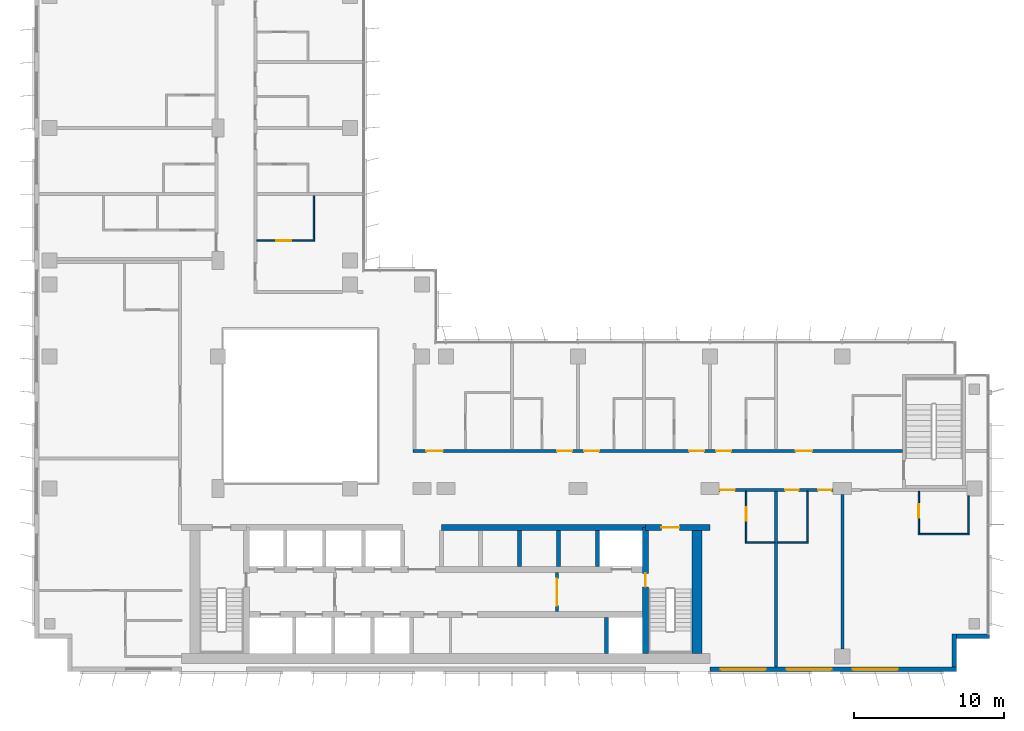
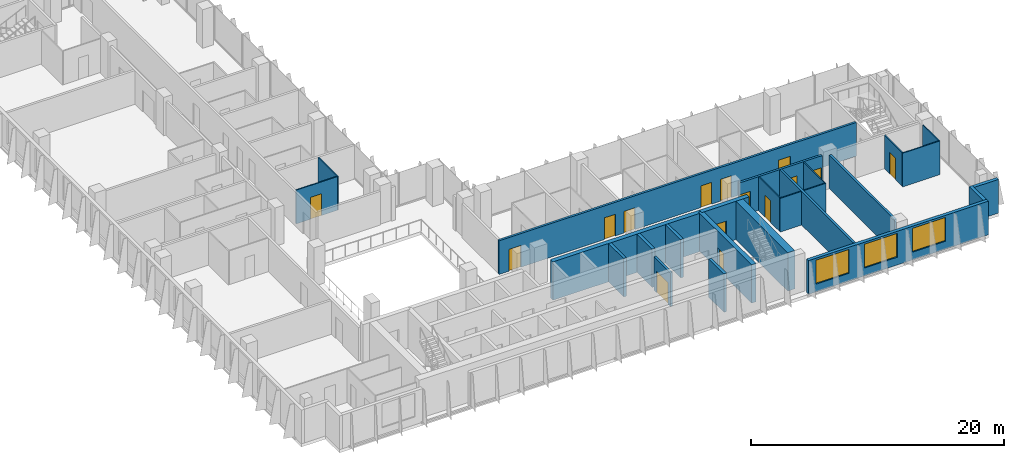
# One storey, part 14 of 21: 25 walls, 15 doors, 3 windows, 18 openings.
"""IFC4 building model written with IfcOpenShell, lengths in metres."""

from ifc_helpers import new_model, si_unit, direction, frame, frame_2d, origin, place, context, subcontext, project, spatial, rectangle, extrude, material, layer, layer_set, type_object, element, fill, save


model = new_model("IFC4")

# Units and contexts
model_context = context("Model", 3, precision=1e-05, world=origin(), true_north=direction((0.0, 1.0)))
body_context = subcontext(model_context, "Body", "Model", "MODEL_VIEW")
ifc_project = project(units=[si_unit("LENGTHUNIT", "METRE"), si_unit("AREAUNIT", "SQUARE_METRE"), si_unit("VOLUMEUNIT", "CUBIC_METRE"), si_unit("PLANEANGLEUNIT", "RADIAN"), si_unit("MASSUNIT", "GRAM", prefix="KILO")], contexts=[model_context])

# Site, building, storey
site_placement = place(None, origin())
site = spatial("IfcSite", under=ifc_project, at=site_placement, CompositionType="ELEMENT")
building_placement = place(site_placement, origin())
building = spatial("IfcBuilding", under=site, at=building_placement, Name="Kemantara Hotel Tower", CompositionType="ELEMENT")
storey_placement = place(building_placement, frame((0.0, 0.0, 198.800048828125)))
storey = spatial("IfcBuildingStorey", under=building, at=storey_placement, Name="L49", CompositionType="ELEMENT", Elevation=198.800048828125)

# Wall, openings, windows
ifc_material_1 = material(Name="Bronze anodised aluminium cladding on insulated steel stud wall", Category="steel")
ifc_layer_1 = layer(ifc_material_1, 0.300048828125)
ifc_layer_set_1 = layer_set([ifc_layer_1], Name="Bronze anodised aluminium cladding on insulated steel stud wall")
wall_type_1 = type_object("IfcWallType", Name="BRONZE METAL-CLAD EXTERNAL WALL 300", PredefinedType="STANDARD", material=ifc_layer_set_1)
wall_1_placement = place(storey_placement, frame((45.0, 0.14990234375, 0.0), z_axis=(0.0, 0.0, 1.0), x_axis=(1.0, 0.0, 0.0)))
wall_1 = element("IfcWall", 1, at=wall_1_placement, inside=storey, type_object=wall_type_1, Name="EXTERNAL WALL L49 T3-R08-3", PredefinedType="STANDARD", context=body_context, shape_type="SweptSolid", body=[
    extrude(rectangle(XDim=16.39990234375, YDim=0.300048828125, at=frame_2d((8.199951171875, 0.0))), origin(), (0.0, 0.0, 1.0), 3.25),
])
opening_1_placement = place(wall_1_placement, frame((0.699951171875, 0.0, 0.75)))
opening_1 = element("IfcOpeningElement", 2, at=opening_1_placement, cuts=wall_1, Name="Opening W1", PredefinedType="OPENING", context=body_context, shape_type="SweptSolid", body=[
    extrude(rectangle(XDim=3.0, YDim=2.300048828125, at=frame_2d((1.5, 1.14990234375))), frame((0.0, 0.159912109375, 0.0), z_axis=(0.0, -1.0, 0.0), x_axis=(1.0, 0.0, 0.0)), (0.0, 0.0, 1.0), 0.320068359375),
])
opening_2_placement = place(wall_1_placement, frame((5.10009765625, 0.0, 0.75)))
opening_2 = element("IfcOpeningElement", 3, at=opening_2_placement, cuts=wall_1, Name="Opening W1", PredefinedType="OPENING", context=body_context, shape_type="SweptSolid", body=[
    extrude(rectangle(XDim=3.0, YDim=2.300048828125, at=frame_2d((1.5, 1.14990234375))), frame((0.0, 0.159912109375, 0.0), z_axis=(0.0, -1.0, 0.0), x_axis=(1.0, 0.0, 0.0)), (0.0, 0.0, 1.0), 0.320068359375),
])
opening_3_placement = place(wall_1_placement, frame((9.5, 0.0, 0.75)))
opening_3 = element("IfcOpeningElement", 4, at=opening_3_placement, cuts=wall_1, Name="Opening W1", PredefinedType="OPENING", context=body_context, shape_type="SweptSolid", body=[
    extrude(rectangle(XDim=3.0, YDim=2.300048828125, at=frame_2d((1.5, 1.14990234375))), frame((0.0, 0.159912109375, 0.0), z_axis=(0.0, -1.0, 0.0), x_axis=(1.0, 0.0, 0.0)), (0.0, 0.0, 1.0), 0.320068359375),
])
ifc_material_2 = material(Name="Low-E tinted double insulated glass in bronze anodised aluminium frame", Category="aluminium")
window_type = type_object("IfcWindowType", Name="CHICAGO WINDOW, TRIPLE PANEL 3000x2300", PartitioningType="TRIPLE_PANEL_VERTICAL", PredefinedType="WINDOW", material=ifc_material_2)
window_1_placement = place(opening_1_placement, origin())
window_1 = element("IfcWindow", 5, at=window_1_placement, inside=storey, type_object=window_type, Name="CHICAGO WINDOW L49 T3-R08-450", OverallHeight=2.300048828125, OverallWidth=3.0, PartitioningType="SINGLE_PANEL", PredefinedType="WINDOW", context=body_context, shape_type="SweptSolid", body=[
    extrude(rectangle(XDim=3.0, YDim=2.300048828125, at=frame_2d((1.5, 1.14990234375))), frame((0.0, 0.030029296875, 0.0), z_axis=(0.0, -1.0, 0.0), x_axis=(1.0, 0.0, 0.0)), (0.0, 0.0, 1.0), 0.06005859375),
])
fill(opening_1, window_1)
window_2_placement = place(opening_2_placement, origin())
window_2 = element("IfcWindow", 6, at=window_2_placement, inside=storey, type_object=window_type, Name="CHICAGO WINDOW L49 T3-R08-494", OverallHeight=2.300048828125, OverallWidth=3.0, PartitioningType="SINGLE_PANEL", PredefinedType="WINDOW", context=body_context, shape_type="SweptSolid", body=[
    extrude(rectangle(XDim=3.0, YDim=2.300048828125, at=frame_2d((1.5, 1.14990234375))), frame((0.0, 0.030029296875, 0.0), z_axis=(0.0, -1.0, 0.0), x_axis=(1.0, 0.0, 0.0)), (0.0, 0.0, 1.0), 0.06005859375),
])
fill(opening_2, window_2)
window_3_placement = place(opening_3_placement, origin())
window_3 = element("IfcWindow", 7, at=window_3_placement, inside=storey, type_object=window_type, Name="CHICAGO WINDOW L49 T3-R08-538", OverallHeight=2.300048828125, OverallWidth=3.0, PartitioningType="SINGLE_PANEL", PredefinedType="WINDOW", context=body_context, shape_type="SweptSolid", body=[
    extrude(rectangle(XDim=3.0, YDim=2.300048828125, at=frame_2d((1.5, 1.14990234375))), frame((0.0, 0.030029296875, 0.0), z_axis=(0.0, -1.0, 0.0), x_axis=(1.0, 0.0, 0.0)), (0.0, 0.0, 1.0), 0.06005859375),
])
fill(opening_3, window_3)

# Walls
wall_2_placement = place(storey_placement, frame((61.25, 0.300048828125, 0.0), z_axis=(0.0, 0.0, 1.0), x_axis=(0.0, 1.0, 0.0)))
element("IfcWall", 8, at=wall_2_placement, inside=storey, type_object=wall_type_1, Name="EXTERNAL WALL L49 T3-R09", PredefinedType="STANDARD", context=body_context, shape_type="SweptSolid", body=[
    extrude(rectangle(XDim=2.199951171875, YDim=0.300048828125, at=frame_2d((1.10009765625, 0.0))), origin(), (0.0, 0.0, 1.0), 3.25),
])
wall_3_placement = place(storey_placement, frame((61.39990234375, 2.35009765625, 0.0), z_axis=(0.0, 0.0, 1.0), x_axis=(1.0, 0.0, 0.0)))
element("IfcWall", 9, at=wall_3_placement, inside=storey, type_object=wall_type_1, Name="EXTERNAL WALL L49 T3-R10", PredefinedType="STANDARD", context=body_context, shape_type="SweptSolid", body=[
    extrude(rectangle(XDim=2.2001953125, YDim=0.300048828125, at=frame_2d((1.10009765625, 0.0))), origin(), (0.0, 0.0, 1.0), 3.25),
])
ifc_material_3 = material(Name="Concrete fc 60 MPa", Category="concrete")
ifc_layer_2 = layer(ifc_material_3, 0.25)
ifc_layer_set_2 = layer_set([ifc_layer_2], Name="Concrete fc 60 MPa")
wall_type_2 = type_object("IfcWallType", Name="CORE WALL 250 FC60", PredefinedType="SHEAR", material=ifc_layer_set_2)
wall_4_placement = place(storey_placement, frame((38.10009765625, 1.199951171875, 0.0), z_axis=(0.0, 0.0, 1.0), x_axis=(0.0, 1.0, 0.0)))
element("IfcWall", 10, at=wall_4_placement, inside=storey, type_object=wall_type_2, Name="CORE WALL CW-DS38.1", PredefinedType="SHEAR", context=body_context, shape_type="SweptSolid", body=[
    extrude(rectangle(XDim=2.400146484375, YDim=0.25, at=frame_2d((1.2001953125, 0.0))), origin(), (0.0, 0.0, 1.0), 3.699951171875),
])
for number, where, z_axis, x_axis, name in (
    (11, (32.300048828125, 7.0, 0.0), (0.0, 0.0, 1.0), (0.0, 1.0, 0.0), "CORE WALL CW-DN32.3"),
    (12, (34.89990234375, 7.0, 0.0), (0.0, 0.0, 1.0), (0.0, 1.0, 0.0), "CORE WALL CW-DN34.9"),
    (13, (37.5, 7.0, 0.0), (0.0, 0.0, 1.0), (0.0, 1.0, 0.0), "CORE WALL CW-DN37.5"),
):
    element("IfcWall", number, at=place(storey_placement, frame(where, z_axis=z_axis, x_axis=x_axis)), inside=storey, type_object=wall_type_2, Name=name, PredefinedType="SHEAR", context=body_context, shape_type="SweptSolid", body=[
        extrude(rectangle(XDim=2.39990234375, YDim=0.25, at=frame_2d((1.199951171875, 0.0))), origin(), (0.0, 0.0, 1.0), 3.699951171875),
    ])

# Wall, opening, door
ifc_layer_3 = layer(ifc_material_3, 0.39990234375)
ifc_layer_set_3 = layer_set([ifc_layer_3], Name="Concrete fc 60 MPa")
wall_type_3 = type_object("IfcWallType", Name="CORE WALL 400 FC60", PredefinedType="SHEAR", material=ifc_layer_set_3)
wall_5_placement = place(storey_placement, frame((40.699951171875, 9.60009765625, 0.0), z_axis=(0.0, 0.0, 1.0), x_axis=(1.0, 0.0, 0.0)))
wall_5 = element("IfcWall", 14, at=wall_5_placement, inside=storey, type_object=wall_type_3, Name="CORE WALL CW-N2", PredefinedType="SHEAR", context=body_context, shape_type="SweptSolid", body=[
    extrude(rectangle(XDim=4.300048828125, YDim=0.39990234375, at=frame_2d((2.14990234375, 0.0))), origin(), (0.0, 0.0, 1.0), 3.699951171875),
])
opening_4_placement = place(wall_5_placement, frame((1.050048828125, 0.0, 0.0)))
opening_4 = element("IfcOpeningElement", 15, at=opening_4_placement, cuts=wall_5, Name="Opening C30-ST2-C", PredefinedType="OPENING", context=body_context, shape_type="SweptSolid", body=[
    extrude(rectangle(XDim=1.199951171875, YDim=2.10009765625, at=frame_2d((0.60009765625, 1.050048828125))), frame((0.0, 0.2099609375, 0.0), z_axis=(0.0, -1.0, 0.0), x_axis=(1.0, 0.0, 0.0)), (0.0, 0.0, 1.0), 0.419921875),
])
ifc_material_4 = material(Name="Steel fire door", Category="steel")
door_type_1 = type_object("IfcDoorType", Name="Fire door FD90 1200 x 2100", OperationType="NOTDEFINED", PredefinedType="DOOR", material=ifc_material_4)
door_1_placement = place(opening_4_placement, frame((1.199951171875, 0.0, 0.0), z_axis=(0.0, 0.0, 1.0), x_axis=(-1.0, 0.0, 0.0)))
door_1 = element("IfcDoor", 16, at=door_1_placement, inside=storey, type_object=door_type_1, Name="Stair ST2 door to corridor", OperationType="SINGLE_SWING_RIGHT", OverallHeight=2.10009765625, OverallWidth=1.199951171875, PredefinedType="DOOR", context=body_context, shape_type="SweptSolid", body=[
    extrude(rectangle(XDim=1.199951171875, YDim=2.10009765625, at=frame_2d((0.60009765625, 1.050048828125))), frame((0.0, 0.02490234375, 0.0), z_axis=(0.0, -1.0, 0.0), x_axis=(1.0, 0.0, 0.0)), (0.0, 0.0, 1.0), 0.050048828125),
])
fill(opening_4, door_1)

# Wall
wall_6_placement = place(storey_placement, frame((27.10009765625, 9.60009765625, 0.0), z_axis=(0.0, 0.0, 1.0), x_axis=(1.0, 0.0, 0.0)))
element("IfcWall", 17, at=wall_6_placement, inside=storey, type_object=wall_type_3, Name="CORE WALL CW-NN2", PredefinedType="SHEAR", context=body_context, shape_type="SweptSolid", body=[
    extrude(rectangle(XDim=13.599853515625, YDim=0.39990234375, at=frame_2d((6.7998046875, 0.0))), origin(), (0.0, 0.0, 1.0), 3.699951171875),
])

# Wall, opening, door
wall_7_placement = place(storey_placement, frame((40.699951171875, 1.199951171875, 0.0), z_axis=(0.0, 0.0, 1.0), x_axis=(0.0, 1.0, 0.0)))
wall_7 = element("IfcWall", 18, at=wall_7_placement, inside=storey, type_object=wall_type_3, Name="CORE WALL CW-ST2W", PredefinedType="SHEAR", context=body_context, shape_type="SweptSolid", body=[
    extrude(rectangle(XDim=8.400146484375, YDim=0.39990234375, at=frame_2d((4.2001953125, 0.0))), origin(), (0.0, 0.0, 1.0), 3.699951171875),
])
opening_5_placement = place(wall_7_placement, frame((4.449951171875, 0.0, 0.0)))
opening_5 = element("IfcOpeningElement", 19, at=opening_5_placement, cuts=wall_7, Name="Opening C30-ST2-F", PredefinedType="OPENING", context=body_context, shape_type="SweptSolid", body=[
    extrude(rectangle(XDim=0.89990234375, YDim=2.10009765625, at=frame_2d((0.449951171875, 1.050048828125))), frame((0.0, 0.2099609375, 0.0), z_axis=(0.0, -1.0, 0.0), x_axis=(1.0, 0.0, 0.0)), (0.0, 0.0, 1.0), 0.419921875),
])
door_type_2 = type_object("IfcDoorType", Name="Fire door FD90 900 x 2100", OperationType="NOTDEFINED", PredefinedType="DOOR", material=ifc_material_4)
door_2_placement = place(opening_5_placement, frame((0.89990234375, 0.0, 0.0), z_axis=(0.0, 0.0, 1.0), x_axis=(-1.0, 0.0, 0.0)))
door_2 = element("IfcDoor", 20, at=door_2_placement, inside=storey, type_object=door_type_2, Name="Stair ST2 door to firefighting lobby", OperationType="SINGLE_SWING_LEFT", OverallHeight=2.10009765625, OverallWidth=0.89990234375, PredefinedType="DOOR", context=body_context, shape_type="SweptSolid", body=[
    extrude(rectangle(XDim=0.89990234375, YDim=2.10009765625, at=frame_2d((0.449951171875, 1.050048828125))), frame((0.0, 0.02490234375, 0.0), z_axis=(0.0, -1.0, 0.0), x_axis=(1.0, 0.0, 0.0)), (0.0, 0.0, 1.0), 0.050048828125),
])
fill(opening_5, door_2)

# Wall
ifc_layer_4 = layer(ifc_material_3, 0.64990234375)
ifc_layer_set_4 = layer_set([ifc_layer_4], Name="Concrete fc 60 MPa")
wall_type_4 = type_object("IfcWallType", Name="CORE WALL 650 FC60", PredefinedType="SHEAR", material=ifc_layer_set_4)
wall_8_placement = place(storey_placement, frame((44.125, 1.199951171875, 0.0), z_axis=(0.0, 0.0, 1.0), x_axis=(0.0, 1.0, 0.0)))
element("IfcWall", 21, at=wall_8_placement, inside=storey, type_object=wall_type_4, Name="CORE WALL CW-E", PredefinedType="SHEAR", context=body_context, shape_type="SweptSolid", body=[
    extrude(rectangle(XDim=8.60009765625, YDim=0.64990234375, at=frame_2d((4.300048828125, 0.0))), origin(), (0.0, 0.0, 1.0), 3.699951171875),
])

# Wall, openings, doors
ifc_material_5 = material(Name="Gypsum board partition, steel studs and mineral wool, 200 mm", Category="steel")
ifc_layer_5 = layer(ifc_material_5, 0.199951171875)
ifc_layer_set_5 = layer_set([ifc_layer_5], Name="Gypsum board partition, steel studs and mineral wool, 200 mm")
wall_type_5 = type_object("IfcWallType", Name="CORRIDOR WALL 200", PredefinedType="PARTITIONING", material=ifc_layer_set_5)
wall_9_placement = place(storey_placement, frame((53.199951171875, 12.10009765625, 0.0), z_axis=(0.0, 0.0, 1.0), x_axis=(-1.0, 0.0, 0.0)))
wall_9 = element("IfcWall", 22, at=wall_9_placement, inside=storey, type_object=wall_type_5, Name="CORRIDOR WALL 200 001", PredefinedType="PARTITIONING", context=body_context, shape_type="SweptSolid", body=[
    extrude(rectangle(XDim=7.599853515625, YDim=0.199951171875, at=frame_2d((3.7998046875, 0.0))), origin(), (0.0, 0.0, 1.0), 3.25),
])
opening_6_placement = place(wall_9_placement, frame((6.5498046875, 0.0, 0.0)))
opening_6 = element("IfcOpeningElement", 23, at=opening_6_placement, cuts=wall_9, Name="Opening F23-001", PredefinedType="OPENING", context=body_context, shape_type="SweptSolid", body=[
    extrude(rectangle(XDim=1.0, YDim=2.10009765625, at=frame_2d((0.5, 1.050048828125))), frame((0.0, 0.10986328125, 0.0), z_axis=(0.0, -1.0, 0.0), x_axis=(1.0, 0.0, 0.0)), (0.0, 0.0, 1.0), 0.219970703125),
])
opening_7_placement = place(wall_9_placement, frame((0.099853515625, 0.0, 0.0)))
opening_7 = element("IfcOpeningElement", 24, at=opening_7_placement, cuts=wall_9, Name="Opening F23-003", PredefinedType="OPENING", context=body_context, shape_type="SweptSolid", body=[
    extrude(rectangle(XDim=0.89990234375, YDim=2.10009765625, at=frame_2d((0.449951171875, 1.050048828125))), frame((0.0, 0.10986328125, 0.0), z_axis=(0.0, -1.0, 0.0), x_axis=(1.0, 0.0, 0.0)), (0.0, 0.0, 1.0), 0.219970703125),
])
opening_8_placement = place(wall_9_placement, frame((2.2998046875, 0.0, 0.0)))
opening_8 = element("IfcOpeningElement", 25, at=opening_8_placement, cuts=wall_9, Name="Opening F23-004", PredefinedType="OPENING", context=body_context, shape_type="SweptSolid", body=[
    extrude(rectangle(XDim=0.89990234375, YDim=2.10009765625, at=frame_2d((0.449951171875, 1.050048828125))), frame((0.0, 0.10986328125, 0.0), z_axis=(0.0, -1.0, 0.0), x_axis=(1.0, 0.0, 0.0)), (0.0, 0.0, 1.0), 0.219970703125),
])
ifc_material_6 = material(Name="Hardwood veneer door leaf with steel frame", Category="steel")
door_type_3 = type_object("IfcDoorType", Name="GUEST ROOM DOOR 1000 X 2100 FD30S", OperationType="NOTDEFINED", PredefinedType="DOOR", material=ifc_material_6)
door_3_placement = place(opening_6_placement, origin())
door_3 = element("IfcDoor", 26, at=door_3_placement, inside=storey, type_object=door_type_3, Name="GUEST ROOM DOOR F23-001", OperationType="SINGLE_SWING_RIGHT", OverallHeight=2.10009765625, OverallWidth=1.0, PredefinedType="DOOR", context=body_context, shape_type="SweptSolid", body=[
    extrude(rectangle(XDim=1.0, YDim=2.10009765625, at=frame_2d((0.5, 1.050048828125))), frame((0.0, 0.02490234375, 0.0), z_axis=(0.0, -1.0, 0.0), x_axis=(1.0, 0.0, 0.0)), (0.0, 0.0, 1.0), 0.050048828125),
])
fill(opening_6, door_3)
ifc_material_7 = material(Name="Steel door leaf with steel frame", Category="steel")
door_type_4 = type_object("IfcDoorType", Name="SERVICE ROOM DOOR 900 X 2100 FD60", OperationType="NOTDEFINED", PredefinedType="DOOR", material=ifc_material_7)
door_4_placement = place(opening_7_placement, origin())
door_4 = element("IfcDoor", 27, at=door_4_placement, inside=storey, type_object=door_type_4, Name="SERVICE ROOM DOOR F23-003", OperationType="SINGLE_SWING_LEFT", OverallHeight=2.10009765625, OverallWidth=0.89990234375, PredefinedType="DOOR", context=body_context, shape_type="SweptSolid", body=[
    extrude(rectangle(XDim=0.89990234375, YDim=2.10009765625, at=frame_2d((0.449951171875, 1.050048828125))), frame((0.0, 0.02490234375, 0.0), z_axis=(0.0, -1.0, 0.0), x_axis=(1.0, 0.0, 0.0)), (0.0, 0.0, 1.0), 0.050048828125),
])
fill(opening_7, door_4)
door_5_placement = place(opening_8_placement, origin())
door_5 = element("IfcDoor", 28, at=door_5_placement, inside=storey, type_object=door_type_4, Name="SERVICE ROOM DOOR F23-004", OperationType="SINGLE_SWING_RIGHT", OverallHeight=2.10009765625, OverallWidth=0.89990234375, PredefinedType="DOOR", context=body_context, shape_type="SweptSolid", body=[
    extrude(rectangle(XDim=0.89990234375, YDim=2.10009765625, at=frame_2d((0.449951171875, 1.050048828125))), frame((0.0, 0.02490234375, 0.0), z_axis=(0.0, -1.0, 0.0), x_axis=(1.0, 0.0, 0.0)), (0.0, 0.0, 1.0), 0.050048828125),
])
fill(opening_8, door_5)

wall_10_placement = place(storey_placement, frame((25.199951171875, 14.699951171875, 0.0), z_axis=(0.0, 0.0, 1.0), x_axis=(1.0, 0.0, 0.0)))
wall_10 = element("IfcWall", 29, at=wall_10_placement, inside=storey, type_object=wall_type_5, Name="CORRIDOR WALL 200 006", PredefinedType="PARTITIONING", context=body_context, shape_type="SweptSolid", body=[
    extrude(rectangle(XDim=32.60009765625, YDim=0.199951171875, at=frame_2d((16.300048828125, 0.0))), origin(), (0.0, 0.0, 1.0), 3.25),
])
opening_9_placement = place(wall_10_placement, frame((0.89990234375, 0.0, 0.0)))
opening_9 = element("IfcOpeningElement", 30, at=opening_9_placement, cuts=wall_10, Name="Opening F23-007", PredefinedType="OPENING", context=body_context, shape_type="SweptSolid", body=[
    extrude(rectangle(XDim=1.10009765625, YDim=2.10009765625, at=frame_2d((0.550048828125, 1.050048828125))), frame((0.0, 0.10986328125, 0.0), z_axis=(0.0, -1.0, 0.0), x_axis=(1.0, 0.0, 0.0)), (0.0, 0.0, 1.0), 0.219970703125),
])
opening_10_placement = place(wall_10_placement, frame((9.60009765625, 0.0, 0.0)))
opening_10 = element("IfcOpeningElement", 31, at=opening_10_placement, cuts=wall_10, Name="Opening F23-009", PredefinedType="OPENING", context=body_context, shape_type="SweptSolid", body=[
    extrude(rectangle(XDim=1.0, YDim=2.10009765625, at=frame_2d((0.5, 1.050048828125))), frame((0.0, 0.10986328125, 0.0), z_axis=(0.0, -1.0, 0.0), x_axis=(1.0, 0.0, 0.0)), (0.0, 0.0, 1.0), 0.219970703125),
])
opening_11_placement = place(wall_10_placement, frame((11.39990234375, 0.0, 0.0)))
opening_11 = element("IfcOpeningElement", 32, at=opening_11_placement, cuts=wall_10, Name="Opening F23-011", PredefinedType="OPENING", context=body_context, shape_type="SweptSolid", body=[
    extrude(rectangle(XDim=1.0, YDim=2.10009765625, at=frame_2d((0.5, 1.050048828125))), frame((0.0, 0.10986328125, 0.0), z_axis=(0.0, -1.0, 0.0), x_axis=(1.0, 0.0, 0.0)), (0.0, 0.0, 1.0), 0.219970703125),
])
opening_12_placement = place(wall_10_placement, frame((18.39990234375, 0.0, 0.0)))
opening_12 = element("IfcOpeningElement", 33, at=opening_12_placement, cuts=wall_10, Name="Opening F23-013", PredefinedType="OPENING", context=body_context, shape_type="SweptSolid", body=[
    extrude(rectangle(XDim=1.0, YDim=2.10009765625, at=frame_2d((0.5, 1.050048828125))), frame((0.0, 0.10986328125, 0.0), z_axis=(0.0, -1.0, 0.0), x_axis=(1.0, 0.0, 0.0)), (0.0, 0.0, 1.0), 0.219970703125),
])
opening_13_placement = place(wall_10_placement, frame((20.199951171875, 0.0, 0.0)))
opening_13 = element("IfcOpeningElement", 34, at=opening_13_placement, cuts=wall_10, Name="Opening F23-015", PredefinedType="OPENING", context=body_context, shape_type="SweptSolid", body=[
    extrude(rectangle(XDim=1.0, YDim=2.10009765625, at=frame_2d((0.5, 1.050048828125))), frame((0.0, 0.10986328125, 0.0), z_axis=(0.0, -1.0, 0.0), x_axis=(1.0, 0.0, 0.0)), (0.0, 0.0, 1.0), 0.219970703125),
])
opening_14_placement = place(wall_10_placement, frame((25.5, 0.0, 0.0)))
opening_14 = element("IfcOpeningElement", 35, at=opening_14_placement, cuts=wall_10, Name="Opening F23-017", PredefinedType="OPENING", context=body_context, shape_type="SweptSolid", body=[
    extrude(rectangle(XDim=1.10009765625, YDim=2.10009765625, at=frame_2d((0.550048828125, 1.050048828125))), frame((0.0, 0.10986328125, 0.0), z_axis=(0.0, -1.0, 0.0), x_axis=(1.0, 0.0, 0.0)), (0.0, 0.0, 1.0), 0.219970703125),
])
door_6_placement = place(opening_10_placement, origin())
door_6 = element("IfcDoor", 36, at=door_6_placement, inside=storey, type_object=door_type_3, Name="GUEST ROOM DOOR F23-009", OperationType="SINGLE_SWING_RIGHT", OverallHeight=2.10009765625, OverallWidth=1.0, PredefinedType="DOOR", context=body_context, shape_type="SweptSolid", body=[
    extrude(rectangle(XDim=1.0, YDim=2.10009765625, at=frame_2d((0.5, 1.050048828125))), frame((0.0, 0.02490234375, 0.0), z_axis=(0.0, -1.0, 0.0), x_axis=(1.0, 0.0, 0.0)), (0.0, 0.0, 1.0), 0.050048828125),
])
fill(opening_10, door_6)
door_7_placement = place(opening_11_placement, origin())
door_7 = element("IfcDoor", 37, at=door_7_placement, inside=storey, type_object=door_type_3, Name="GUEST ROOM DOOR F23-011", OperationType="SINGLE_SWING_LEFT", OverallHeight=2.10009765625, OverallWidth=1.0, PredefinedType="DOOR", context=body_context, shape_type="SweptSolid", body=[
    extrude(rectangle(XDim=1.0, YDim=2.10009765625, at=frame_2d((0.5, 1.050048828125))), frame((0.0, 0.02490234375, 0.0), z_axis=(0.0, -1.0, 0.0), x_axis=(1.0, 0.0, 0.0)), (0.0, 0.0, 1.0), 0.050048828125),
])
fill(opening_11, door_7)
door_8_placement = place(opening_12_placement, origin())
door_8 = element("IfcDoor", 38, at=door_8_placement, inside=storey, type_object=door_type_3, Name="GUEST ROOM DOOR F23-013", OperationType="SINGLE_SWING_RIGHT", OverallHeight=2.10009765625, OverallWidth=1.0, PredefinedType="DOOR", context=body_context, shape_type="SweptSolid", body=[
    extrude(rectangle(XDim=1.0, YDim=2.10009765625, at=frame_2d((0.5, 1.050048828125))), frame((0.0, 0.02490234375, 0.0), z_axis=(0.0, -1.0, 0.0), x_axis=(1.0, 0.0, 0.0)), (0.0, 0.0, 1.0), 0.050048828125),
])
fill(opening_12, door_8)
door_9_placement = place(opening_13_placement, origin())
door_9 = element("IfcDoor", 39, at=door_9_placement, inside=storey, type_object=door_type_3, Name="GUEST ROOM DOOR F23-015", OperationType="SINGLE_SWING_LEFT", OverallHeight=2.10009765625, OverallWidth=1.0, PredefinedType="DOOR", context=body_context, shape_type="SweptSolid", body=[
    extrude(rectangle(XDim=1.0, YDim=2.10009765625, at=frame_2d((0.5, 1.050048828125))), frame((0.0, 0.02490234375, 0.0), z_axis=(0.0, -1.0, 0.0), x_axis=(1.0, 0.0, 0.0)), (0.0, 0.0, 1.0), 0.050048828125),
])
fill(opening_13, door_9)
door_type_5 = type_object("IfcDoorType", Name="GUEST ROOM DOOR 1100 X 2100 FD30S", OperationType="NOTDEFINED", PredefinedType="DOOR", material=ifc_material_6)
door_10_placement = place(opening_9_placement, origin())
door_10 = element("IfcDoor", 40, at=door_10_placement, inside=storey, type_object=door_type_5, Name="GUEST ROOM DOOR F23-007", OperationType="SINGLE_SWING_LEFT", OverallHeight=2.10009765625, OverallWidth=1.10009765625, PredefinedType="DOOR", context=body_context, shape_type="SweptSolid", body=[
    extrude(rectangle(XDim=1.10009765625, YDim=2.10009765625, at=frame_2d((0.550048828125, 1.050048828125))), frame((0.0, 0.02490234375, 0.0), z_axis=(0.0, -1.0, 0.0), x_axis=(1.0, 0.0, 0.0)), (0.0, 0.0, 1.0), 0.050048828125),
])
fill(opening_9, door_10)
door_type_6 = type_object("IfcDoorType", Name="SUITE ENTRANCE DOOR 1100 X 2100 FD30S", OperationType="NOTDEFINED", PredefinedType="DOOR", material=ifc_material_6)
door_11_placement = place(opening_14_placement, origin())
door_11 = element("IfcDoor", 41, at=door_11_placement, inside=storey, type_object=door_type_6, Name="SUITE ENTRANCE DOOR F23-017", OperationType="SINGLE_SWING_LEFT", OverallHeight=2.10009765625, OverallWidth=1.10009765625, PredefinedType="DOOR", context=body_context, shape_type="SweptSolid", body=[
    extrude(rectangle(XDim=1.10009765625, YDim=2.10009765625, at=frame_2d((0.550048828125, 1.050048828125))), frame((0.0, 0.02490234375, 0.0), z_axis=(0.0, -1.0, 0.0), x_axis=(1.0, 0.0, 0.0)), (0.0, 0.0, 1.0), 0.050048828125),
])
fill(opening_14, door_11)

# Walls
ifc_layer_6 = layer(ifc_material_5, 0.199951171875)
ifc_layer_set_6 = layer_set([ifc_layer_6], Name="Gypsum board partition, steel studs and mineral wool, 200 mm")
wall_type_6 = type_object("IfcWallType", Name="GUEST ROOM PARTY WALL 200", PredefinedType="PARTITIONING", material=ifc_layer_set_6)
wall_11_placement = place(storey_placement, frame((49.39990234375, 0.31005859375, 0.0), z_axis=(0.0, 0.0, 1.0), x_axis=(0.0, 1.0, 0.0)))
element("IfcWall", 42, at=wall_11_placement, inside=storey, type_object=wall_type_6, Name="GUEST ROOM PARTY WALL 200 003", PredefinedType="PARTITIONING", context=body_context, shape_type="SweptSolid", body=[
    extrude(rectangle(XDim=11.68994140625, YDim=0.199951171875, at=frame_2d((5.844970703125, 0.0))), origin(), (0.0, 0.0, 1.0), 3.25),
])
wall_12_placement = place(storey_placement, frame((53.800048828125, 1.5, 0.0), z_axis=(0.0, 0.0, 1.0), x_axis=(0.0, 1.0, 0.0)))
element("IfcWall", 43, at=wall_12_placement, inside=storey, type_object=wall_type_6, Name="GUEST ROOM PARTY WALL 200 005", PredefinedType="PARTITIONING", context=body_context, shape_type="SweptSolid", body=[
    extrude(rectangle(XDim=10.2998046875, YDim=0.199951171875, at=frame_2d((5.14990234375, 0.0))), origin(), (0.0, 0.0, 1.0), 3.25),
])

# Wall, opening, door
ifc_material_8 = material(Name="Gypsum board shaft wall")
ifc_layer_7 = layer(ifc_material_8, 0.199951171875)
ifc_layer_set_7 = layer_set([ifc_layer_7], Name="Gypsum board shaft wall")
wall_type_7 = type_object("IfcWallType", Name="Gypsum board shaft wall 200 mm", PredefinedType="PARTITIONING", material=ifc_layer_set_7)
wall_13_placement = place(storey_placement, frame((34.800048828125, 4.0, 0.0), z_axis=(0.0, 0.0, 1.0), x_axis=(0.0, 1.0, 0.0)))
wall_13 = element("IfcWall", 44, at=wall_13_placement, inside=storey, type_object=wall_type_7, Name="Firefighting lobby partition east", PredefinedType="PARTITIONING", context=body_context, shape_type="SweptSolid", body=[
    extrude(rectangle(XDim=2.60009765625, YDim=0.199951171875, at=frame_2d((1.300048828125, 0.0))), origin(), (0.0, 0.0, 1.0), 3.25),
])
opening_15_placement = place(wall_13_placement, frame((0.39990234375, 0.0, 0.0)))
opening_15 = element("IfcOpeningElement", 45, at=opening_15_placement, cuts=wall_13, Name="Opening C30-FFE", PredefinedType="OPENING", context=body_context, shape_type="SweptSolid", body=[
    extrude(rectangle(XDim=1.800048828125, YDim=2.10009765625, at=frame_2d((0.89990234375, 1.050048828125))), frame((0.0, 0.10986328125, 0.0), z_axis=(0.0, -1.0, 0.0), x_axis=(1.0, 0.0, 0.0)), (0.0, 0.0, 1.0), 0.219970703125),
])
door_type_7 = type_object("IfcDoorType", Name="Fire door pair FD60 1800 x 2100", OperationType="DOUBLE_DOOR_SINGLE_SWING", PredefinedType="DOOR", material=ifc_material_4)
door_12_placement = place(opening_15_placement, frame((1.800048828125, 0.0, 0.0), z_axis=(0.0, 0.0, 1.0), x_axis=(-1.0, 0.0, 0.0)))
door_12 = element("IfcDoor", 46, at=door_12_placement, inside=storey, type_object=door_type_7, Name="Firefighting lobby door east", OperationType="DOUBLE_DOOR_SINGLE_SWING", OverallHeight=2.10009765625, OverallWidth=1.800048828125, PredefinedType="DOOR", context=body_context, shape_type="SweptSolid", body=[
    extrude(rectangle(XDim=1.800048828125, YDim=2.10009765625, at=frame_2d((0.89990234375, 1.050048828125))), frame((0.0, 0.02490234375, 0.0), z_axis=(0.0, -1.0, 0.0), x_axis=(1.0, 0.0, 0.0)), (0.0, 0.0, 1.0), 0.050048828125),
])
fill(opening_15, door_12)

# Walls
ifc_material_9 = material(Name="Gypsum board partition on steel studs, 100 mm", Category="steel")
ifc_layer_8 = layer(ifc_material_9, 0.10009765625)
ifc_layer_set_8 = layer_set([ifc_layer_8], Name="Gypsum board partition on steel studs, 100 mm")
wall_type_8 = type_object("IfcWallType", Name="ROOM PARTITION 100", PredefinedType="PARTITIONING", material=ifc_layer_set_8)
wall_14_placement = place(storey_placement, frame((47.35009765625, 8.60009765625, 0.0), z_axis=(0.0, 0.0, 1.0), x_axis=(1.0, 0.0, 0.0)))
element("IfcWall", 47, at=wall_14_placement, inside=storey, type_object=wall_type_8, Name="ROOM PARTITION 100 032", PredefinedType="PARTITIONING", context=body_context, shape_type="SweptSolid", body=[
    extrude(rectangle(XDim=1.949951171875, YDim=0.10009765625, at=frame_2d((0.97509765625, 0.0))), origin(), (0.0, 0.0, 1.0), 3.25),
])
wall_15_placement = place(storey_placement, frame((49.5, 8.60009765625, 0.0), z_axis=(0.0, 0.0, 1.0), x_axis=(1.0, 0.0, 0.0)))
element("IfcWall", 48, at=wall_15_placement, inside=storey, type_object=wall_type_8, Name="ROOM PARTITION 100 033", PredefinedType="PARTITIONING", context=body_context, shape_type="SweptSolid", body=[
    extrude(rectangle(XDim=2.050048828125, YDim=0.10009765625, at=frame_2d((1.02490234375, 0.0))), origin(), (0.0, 0.0, 1.0), 3.25),
])

# Wall, opening, door
wall_16_placement = place(storey_placement, frame((47.39990234375, 12.0, 0.0), z_axis=(0.0, 0.0, 1.0), x_axis=(0.0, -1.0, 0.0)))
wall_16 = element("IfcWall", 49, at=wall_16_placement, inside=storey, type_object=wall_type_8, Name="ROOM PARTITION 100 034", PredefinedType="PARTITIONING", context=body_context, shape_type="SweptSolid", body=[
    extrude(rectangle(XDim=3.35009765625, YDim=0.10009765625, at=frame_2d((1.675048828125, 0.0))), origin(), (0.0, 0.0, 1.0), 3.25),
])
opening_16_placement = place(wall_16_placement, frame((1.050048828125, 0.0, 0.0)))
opening_16 = element("IfcOpeningElement", 50, at=opening_16_placement, cuts=wall_16, Name="Opening F23-002", PredefinedType="OPENING", context=body_context, shape_type="SweptSolid", body=[
    extrude(rectangle(XDim=0.89990234375, YDim=2.10009765625, at=frame_2d((0.449951171875, 1.050048828125))), frame((0.0, 0.06005859375, 0.0), z_axis=(0.0, -1.0, 0.0), x_axis=(1.0, 0.0, 0.0)), (0.0, 0.0, 1.0), 0.1201171875),
])
door_type_8 = type_object("IfcDoorType", Name="BATHROOM DOOR 900 X 2100", OperationType="NOTDEFINED", PredefinedType="DOOR", material=ifc_material_6)
door_13_placement = place(opening_16_placement, origin())
door_13 = element("IfcDoor", 51, at=door_13_placement, inside=storey, type_object=door_type_8, Name="BATHROOM DOOR F23-002", OperationType="SINGLE_SWING_LEFT", OverallHeight=2.10009765625, OverallWidth=0.89990234375, PredefinedType="DOOR", context=body_context, shape_type="SweptSolid", body=[
    extrude(rectangle(XDim=0.89990234375, YDim=2.10009765625, at=frame_2d((0.449951171875, 1.050048828125))), frame((0.0, 0.02490234375, 0.0), z_axis=(0.0, -1.0, 0.0), x_axis=(1.0, 0.0, 0.0)), (0.0, 0.0, 1.0), 0.050048828125),
])
fill(opening_16, door_13)

# Walls
wall_17_placement = place(storey_placement, frame((51.5, 8.64990234375, 0.0), z_axis=(0.0, 0.0, 1.0), x_axis=(0.0, 1.0, 0.0)))
element("IfcWall", 52, at=wall_17_placement, inside=storey, type_object=wall_type_8, Name="ROOM PARTITION 100 036", PredefinedType="PARTITIONING", context=body_context, shape_type="SweptSolid", body=[
    extrude(rectangle(XDim=3.35009765625, YDim=0.10009765625, at=frame_2d((1.675048828125, 0.0))), origin(), (0.0, 0.0, 1.0), 3.25),
])
wall_18_placement = place(storey_placement, frame((58.85009765625, 9.14990234375, 0.0), z_axis=(0.0, 0.0, 1.0), x_axis=(1.0, 0.0, 0.0)))
element("IfcWall", 53, at=wall_18_placement, inside=storey, type_object=wall_type_8, Name="ROOM PARTITION 100 037", PredefinedType="PARTITIONING", context=body_context, shape_type="SweptSolid", body=[
    extrude(rectangle(XDim=3.39990234375, YDim=0.10009765625, at=frame_2d((1.699951171875, 0.0))), origin(), (0.0, 0.0, 1.0), 3.25),
])

# Wall, opening, door
wall_19_placement = place(storey_placement, frame((58.89990234375, 12.0, 0.0), z_axis=(0.0, 0.0, 1.0), x_axis=(0.0, -1.0, 0.0)))
wall_19 = element("IfcWall", 54, at=wall_19_placement, inside=storey, type_object=wall_type_8, Name="ROOM PARTITION 100 038", PredefinedType="PARTITIONING", context=body_context, shape_type="SweptSolid", body=[
    extrude(rectangle(XDim=2.800048828125, YDim=0.10009765625, at=frame_2d((1.39990234375, 0.0))), origin(), (0.0, 0.0, 1.0), 3.25),
])
opening_17_placement = place(wall_19_placement, frame((0.85009765625, 0.0, 0.0)))
opening_17 = element("IfcOpeningElement", 55, at=opening_17_placement, cuts=wall_19, Name="Opening F23-006", PredefinedType="OPENING", context=body_context, shape_type="SweptSolid", body=[
    extrude(rectangle(XDim=0.89990234375, YDim=2.10009765625, at=frame_2d((0.449951171875, 1.050048828125))), frame((0.0, 0.06005859375, 0.0), z_axis=(0.0, -1.0, 0.0), x_axis=(1.0, 0.0, 0.0)), (0.0, 0.0, 1.0), 0.1201171875),
])
door_14_placement = place(opening_17_placement, origin())
door_14 = element("IfcDoor", 56, at=door_14_placement, inside=storey, type_object=door_type_8, Name="BATHROOM DOOR F23-006", OperationType="SINGLE_SWING_LEFT", OverallHeight=2.10009765625, OverallWidth=0.89990234375, PredefinedType="DOOR", context=body_context, shape_type="SweptSolid", body=[
    extrude(rectangle(XDim=0.89990234375, YDim=2.10009765625, at=frame_2d((0.449951171875, 1.050048828125))), frame((0.0, 0.02490234375, 0.0), z_axis=(0.0, -1.0, 0.0), x_axis=(1.0, 0.0, 0.0)), (0.0, 0.0, 1.0), 0.050048828125),
])
fill(opening_17, door_14)

# Walls
wall_20_placement = place(storey_placement, frame((62.199951171875, 9.199951171875, 0.0), z_axis=(0.0, 0.0, 1.0), x_axis=(0.0, 1.0, 0.0)))
element("IfcWall", 57, at=wall_20_placement, inside=storey, type_object=wall_type_8, Name="ROOM PARTITION 100 039", PredefinedType="PARTITIONING", context=body_context, shape_type="SweptSolid", body=[
    extrude(rectangle(XDim=2.5, YDim=0.10009765625, at=frame_2d((1.25, 0.0))), origin(), (0.0, 0.0, 1.0), 3.25),
])
wall_21_placement = place(storey_placement, frame((18.60009765625, 28.64990234375, 0.0), z_axis=(0.0, 0.0, 1.0), x_axis=(0.0, 1.0, 0.0)))
element("IfcWall", 58, at=wall_21_placement, inside=storey, type_object=wall_type_8, Name="ROOM PARTITION 100 067", PredefinedType="PARTITIONING", context=body_context, shape_type="SweptSolid", body=[
    extrude(rectangle(XDim=3.050048828125, YDim=0.10009765625, at=frame_2d((1.52490234375, 0.0))), origin(), (0.0, 0.0, 1.0), 3.25),
])

# Wall, opening, door
wall_22_placement = place(storey_placement, frame((14.800048828125, 28.699951171875, 0.0), z_axis=(0.0, 0.0, 1.0), x_axis=(1.0, 0.0, 0.0)))
wall_22 = element("IfcWall", 59, at=wall_22_placement, inside=storey, type_object=wall_type_8, Name="ROOM PARTITION 100 068", PredefinedType="PARTITIONING", context=body_context, shape_type="SweptSolid", body=[
    extrude(rectangle(XDim=3.75, YDim=0.10009765625, at=frame_2d((1.875, 0.0))), origin(), (0.0, 0.0, 1.0), 3.25),
])
opening_18_placement = place(wall_22_placement, frame((1.300048828125, 0.0, 0.0)))
opening_18 = element("IfcOpeningElement", 60, at=opening_18_placement, cuts=wall_22, Name="Opening F23-035", PredefinedType="OPENING", context=body_context, shape_type="SweptSolid", body=[
    extrude(rectangle(XDim=1.0, YDim=2.10009765625, at=frame_2d((0.5, 1.050048828125))), frame((0.0, 0.06005859375, 0.0), z_axis=(0.0, -1.0, 0.0), x_axis=(1.0, 0.0, 0.0)), (0.0, 0.0, 1.0), 0.1201171875),
])
door_type_9 = type_object("IfcDoorType", Name="BATHROOM DOOR 1000 X 2100", OperationType="NOTDEFINED", PredefinedType="DOOR", material=ifc_material_6)
door_15_placement = place(opening_18_placement, origin())
door_15 = element("IfcDoor", 61, at=door_15_placement, inside=storey, type_object=door_type_9, Name="BATHROOM DOOR F23-035", OperationType="SINGLE_SWING_LEFT", OverallHeight=2.10009765625, OverallWidth=1.0, PredefinedType="DOOR", context=body_context, shape_type="SweptSolid", body=[
    extrude(rectangle(XDim=1.0, YDim=2.10009765625, at=frame_2d((0.5, 1.050048828125))), frame((0.0, 0.02490234375, 0.0), z_axis=(0.0, -1.0, 0.0), x_axis=(1.0, 0.0, 0.0)), (0.0, 0.0, 1.0), 0.050048828125),
])
fill(opening_18, door_15)

save(model, "model.ifc")
